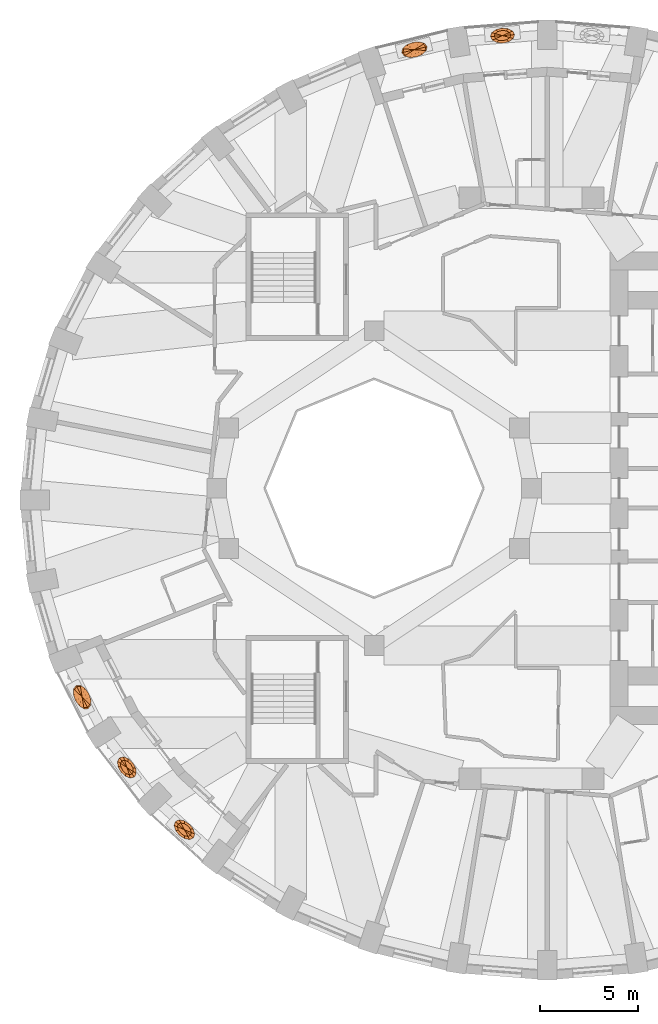
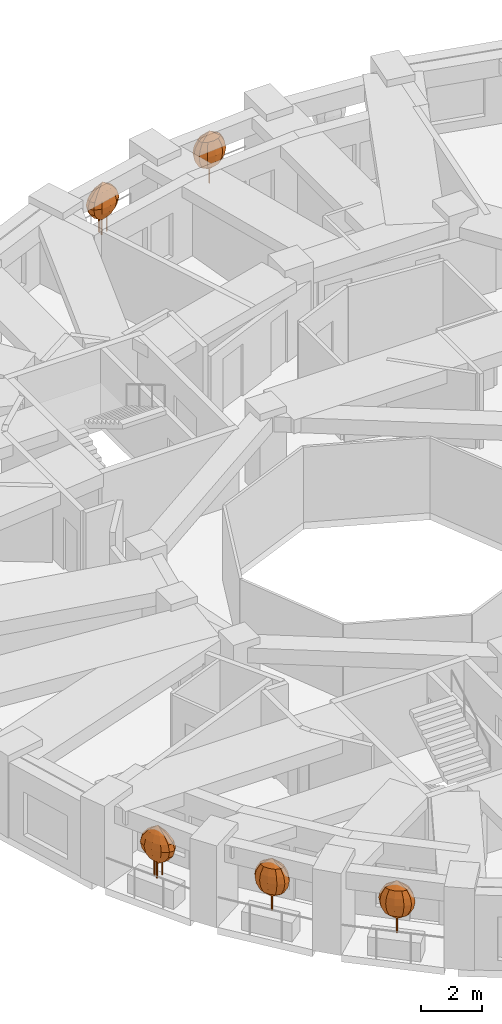
# One storey, part 11 of 12: 5 geographic elements.
"""IFC4 building model written with IfcOpenShell, lengths in metres."""

from ifc_helpers import new_model, si_unit, direction, frame, origin, place, context, subcontext, project, spatial, faceted_brep, material, constituent, constituent_set, type_object, element, save


model = new_model("IFC4")

# Units and contexts
model_context = context("Model", 3, precision=1e-05, world=origin(), true_north=direction((0.0, 1.0)))
body_context = subcontext(model_context, "Body", "Model", "MODEL_VIEW")
ifc_project = project(units=[si_unit("LENGTHUNIT", "METRE"), si_unit("AREAUNIT", "SQUARE_METRE"), si_unit("VOLUMEUNIT", "CUBIC_METRE"), si_unit("PLANEANGLEUNIT", "RADIAN"), si_unit("MASSUNIT", "GRAM", prefix="KILO")], contexts=[model_context])

# Site, building, storey
site_placement = place(None, origin())
site = spatial("IfcSite", under=ifc_project, at=site_placement, CompositionType="ELEMENT")
building_placement = place(site_placement, origin())
building = spatial("IfcBuilding", under=site, at=building_placement, Name="Taillehof Tower", CompositionType="ELEMENT")
storey_placement = place(building_placement, frame((0.0, 0.0, 128.5)))
storey = spatial("IfcBuildingStorey", under=building, at=storey_placement, Name="L36", CompositionType="ELEMENT", Elevation=128.5)

# Geographic elements
ifc_material_1 = material(Name="Tree bark", Category="timber")
ifc_constituent_1 = constituent(ifc_material_1, Name="Trunk", Category="timber")
ifc_material_2 = material(Name="Tree foliage")
ifc_constituent_2 = constituent(ifc_material_2, Name="Crown")
ifc_constituent_set_1 = constituent_set(constituents=[ifc_constituent_1, ifc_constituent_2], Name="Tree TR1 Columnar hornbeam")
geographic_element_type_1 = type_object("IfcGeographicElementType", Name="Tree TR1 Columnar hornbeam", PredefinedType="USERDEFINED", material=ifc_constituent_set_1)
geographic_element_1_placement = place(storey_placement, frame((-1.472900390625, 23.007568359375, 0.75)))
element("IfcGeographicElement", 1, at=geographic_element_1_placement, inside=storey, type_object=geographic_element_type_1, Name="Tree TR1 Columnar hornbeam", ObjectType="TREE", PredefinedType="USERDEFINED", context=body_context, shape_type="Brep", body=[
    faceted_brep([(0.030029296875, 0.0, 0.0), (0.021240234375, 0.021240234375, 0.0), (0.021240234375, 0.021240234375, 1.092529296875), (0.030029296875, 0.0, 1.092529296875), (0.0, 0.030029296875, 0.0), (0.0, 0.030029296875, 1.092529296875), (-0.021240234375, 0.021240234375, 0.0), (-0.021240234375, 0.021240234375, 1.092529296875), (-0.030029296875, 0.0, 0.0), (-0.030029296875, 0.0, 1.092529296875), (-0.021240234375, -0.021240234375, 0.0), (-0.021240234375, -0.021240234375, 1.092529296875), (0.0, -0.030029296875, 0.0), (0.0, -0.030029296875, 1.092529296875), (0.021240234375, -0.021240234375, 0.0), (0.021240234375, -0.021240234375, 1.092529296875)], [[[0, 1, 2, 3]], [[1, 4, 5, 2]], [[4, 6, 7, 5]], [[6, 8, 9, 7]], [[8, 10, 11, 9]], [[10, 12, 13, 11]], [[12, 14, 15, 13]], [[14, 0, 3, 15]], [[14, 12, 10, 8, 6, 4, 1, 0]], [[3, 2, 5, 7, 9, 11, 13, 15]]]),
    faceted_brep([(0.0, 0.0, 0.550048828125), (-0.353759765625, -0.158203125, 0.808349609375), (-0.42041015625, -0.033447265625, 0.808349609375), (-0.1923828125, -0.24072265625, 0.808349609375), (0.0205078125, -0.2587890625, 0.808349609375), (0.22802734375, -0.207275390625, 0.808349609375), (0.374267578125, -0.100341796875, 0.808349609375), (0.42041015625, 0.033447265625, 0.808349609375), (0.353759765625, 0.158203125, 0.808349609375), (0.1923828125, 0.24072265625, 0.808349609375), (-0.0205078125, 0.2587890625, 0.808349609375), (-0.22802734375, 0.207275390625, 0.808349609375), (-0.374267578125, 0.100341796875, 0.808349609375), (-0.478759765625, -0.214111328125, 1.066650390625), (-0.56884765625, -0.045166015625, 1.066650390625), (-0.26025390625, -0.32568359375, 1.066650390625), (0.02783203125, -0.35009765625, 1.066650390625), (0.308349609375, -0.280517578125, 1.066650390625), (0.50634765625, -0.135986328125, 1.066650390625), (0.56884765625, 0.045166015625, 1.066650390625), (0.478759765625, 0.214111328125, 1.066650390625), (0.26025390625, 0.32568359375, 1.066650390625), (-0.02783203125, 0.35009765625, 1.066650390625), (-0.308349609375, 0.280517578125, 1.066650390625), (-0.50634765625, 0.135986328125, 1.066650390625), (-0.51806640625, -0.231689453125, 1.324951171875), (-0.615478515625, -0.048828125, 1.324951171875), (-0.28173828125, -0.3525390625, 1.324951171875), (0.030029296875, -0.37890625, 1.324951171875), (0.333740234375, -0.3037109375, 1.324951171875), (0.548095703125, -0.14697265625, 1.324951171875), (0.615478515625, 0.048828125, 1.324951171875), (0.51806640625, 0.231689453125, 1.324951171875), (0.28173828125, 0.3525390625, 1.324951171875), (-0.030029296875, 0.37890625, 1.324951171875), (-0.333740234375, 0.3037109375, 1.324951171875), (-0.548095703125, 0.14697265625, 1.324951171875), (-0.478759765625, -0.214111328125, 1.583251953125), (-0.56884765625, -0.045166015625, 1.583251953125), (-0.26025390625, -0.32568359375, 1.583251953125), (0.02783203125, -0.35009765625, 1.583251953125), (0.308349609375, -0.280517578125, 1.583251953125), (0.50634765625, -0.135986328125, 1.583251953125), (0.56884765625, 0.045166015625, 1.583251953125), (0.478759765625, 0.214111328125, 1.583251953125), (0.26025390625, 0.32568359375, 1.583251953125), (-0.02783203125, 0.35009765625, 1.583251953125), (-0.308349609375, 0.280517578125, 1.583251953125), (-0.50634765625, 0.135986328125, 1.583251953125), (-0.353759765625, -0.158203125, 1.841552734375), (-0.42041015625, -0.033447265625, 1.841552734375), (-0.1923828125, -0.24072265625, 1.841552734375), (0.0205078125, -0.2587890625, 1.841552734375), (0.22802734375, -0.207275390625, 1.841552734375), (0.374267578125, -0.100341796875, 1.841552734375), (0.42041015625, 0.033447265625, 1.841552734375), (0.353759765625, 0.158203125, 1.841552734375), (0.1923828125, 0.24072265625, 1.841552734375), (-0.0205078125, 0.2587890625, 1.841552734375), (-0.22802734375, 0.207275390625, 1.841552734375), (-0.374267578125, 0.100341796875, 1.841552734375), (0.0, 0.0, 2.10009765625)], [[[0, 1, 2]], [[0, 3, 1]], [[0, 4, 3]], [[0, 5, 4]], [[0, 6, 5]], [[0, 7, 6]], [[0, 8, 7]], [[0, 9, 8]], [[0, 10, 9]], [[0, 11, 10]], [[0, 12, 11]], [[0, 2, 12]], [[2, 1, 13, 14]], [[1, 3, 15, 13]], [[3, 4, 16, 15]], [[4, 5, 17, 16]], [[5, 6, 18, 17]], [[6, 7, 19, 18]], [[7, 8, 20, 19]], [[8, 9, 21, 20]], [[9, 10, 22, 21]], [[10, 11, 23, 22]], [[11, 12, 24, 23]], [[12, 2, 14, 24]], [[14, 13, 25, 26]], [[13, 15, 27, 25]], [[15, 16, 28, 27]], [[16, 17, 29, 28]], [[17, 18, 30, 29]], [[18, 19, 31, 30]], [[19, 20, 32, 31]], [[20, 21, 33, 32]], [[21, 22, 34, 33]], [[22, 23, 35, 34]], [[23, 24, 36, 35]], [[24, 14, 26, 36]], [[26, 25, 37, 38]], [[25, 27, 39, 37]], [[27, 28, 40, 39]], [[28, 29, 41, 40]], [[29, 30, 42, 41]], [[30, 31, 43, 42]], [[31, 32, 44, 43]], [[32, 33, 45, 44]], [[33, 34, 46, 45]], [[34, 35, 47, 46]], [[35, 36, 48, 47]], [[36, 26, 38, 48]], [[38, 37, 49, 50]], [[37, 39, 51, 49]], [[39, 40, 52, 51]], [[40, 41, 53, 52]], [[41, 42, 54, 53]], [[42, 43, 55, 54]], [[43, 44, 56, 55]], [[44, 45, 57, 56]], [[45, 46, 58, 57]], [[46, 47, 59, 58]], [[47, 48, 60, 59]], [[48, 38, 50, 60]], [[50, 49, 61]], [[49, 51, 61]], [[51, 52, 61]], [[52, 53, 61]], [[53, 54, 61]], [[54, 55, 61]], [[55, 56, 61]], [[56, 57, 61]], [[57, 58, 61]], [[58, 59, 61]], [[59, 60, 61]], [[60, 50, 61]]]),
])
geographic_element_2_placement = place(storey_placement, frame((-20.56689453125, -14.196044921875, 0.75)))
element("IfcGeographicElement", 2, at=geographic_element_2_placement, inside=storey, type_object=geographic_element_type_1, Name="Tree TR1 Columnar hornbeam", ObjectType="TREE", PredefinedType="USERDEFINED", context=body_context, shape_type="Brep", body=[
    faceted_brep([(0.030029296875, 0.0, 0.0), (0.021240234375, 0.021240234375, 0.0), (0.021240234375, 0.021240234375, 1.092529296875), (0.030029296875, 0.0, 1.092529296875), (0.0, 0.030029296875, 0.0), (0.0, 0.030029296875, 1.092529296875), (-0.021240234375, 0.021240234375, 0.0), (-0.021240234375, 0.021240234375, 1.092529296875), (-0.030029296875, 0.0, 0.0), (-0.030029296875, 0.0, 1.092529296875), (-0.021240234375, -0.021240234375, 0.0), (-0.021240234375, -0.021240234375, 1.092529296875), (0.0, -0.030029296875, 0.0), (0.0, -0.030029296875, 1.092529296875), (0.021240234375, -0.021240234375, 0.0), (0.021240234375, -0.021240234375, 1.092529296875)], [[[0, 1, 2, 3]], [[1, 4, 5, 2]], [[4, 6, 7, 5]], [[6, 8, 9, 7]], [[8, 10, 11, 9]], [[10, 12, 13, 11]], [[12, 14, 15, 13]], [[14, 0, 3, 15]], [[14, 12, 10, 8, 6, 4, 1, 0]], [[3, 2, 5, 7, 9, 11, 13, 15]]]),
    faceted_brep([(0.0, 0.0, 0.550048828125), (0.325927734375, -0.2099609375, 0.808349609375), (0.257568359375, -0.333984375, 0.808349609375), (0.306884765625, -0.02978515625, 0.808349609375), (0.20556640625, 0.158447265625, 0.808349609375), (0.04931640625, 0.30419921875, 0.808349609375), (-0.120361328125, 0.368408203125, 0.808349609375), (-0.257568359375, 0.333984375, 0.808349609375), (-0.325927734375, 0.2099609375, 0.808349609375), (-0.306884765625, 0.02978515625, 0.808349609375), (-0.20556640625, -0.158447265625, 0.808349609375), (-0.04931640625, -0.30419921875, 0.808349609375), (0.120361328125, -0.368408203125, 0.808349609375), (0.440673828125, -0.2841796875, 1.066650390625), (0.348388671875, -0.451904296875, 1.066650390625), (0.4150390625, -0.040283203125, 1.066650390625), (0.278076171875, 0.21435546875, 1.066650390625), (0.066650390625, 0.41162109375, 1.066650390625), (-0.16259765625, 0.49853515625, 1.066650390625), (-0.348388671875, 0.451904296875, 1.066650390625), (-0.440673828125, 0.2841796875, 1.066650390625), (-0.4150390625, 0.040283203125, 1.066650390625), (-0.278076171875, -0.21435546875, 1.066650390625), (-0.066650390625, -0.41162109375, 1.066650390625), (0.16259765625, -0.49853515625, 1.066650390625), (0.47705078125, -0.307373046875, 1.324951171875), (0.377197265625, -0.489013671875, 1.324951171875), (0.44921875, -0.04345703125, 1.324951171875), (0.301025390625, 0.23193359375, 1.324951171875), (0.072021484375, 0.445556640625, 1.324951171875), (-0.176025390625, 0.53955078125, 1.324951171875), (-0.377197265625, 0.489013671875, 1.324951171875), (-0.47705078125, 0.307373046875, 1.324951171875), (-0.44921875, 0.04345703125, 1.324951171875), (-0.301025390625, -0.23193359375, 1.324951171875), (-0.072021484375, -0.445556640625, 1.324951171875), (0.176025390625, -0.53955078125, 1.324951171875), (0.440673828125, -0.2841796875, 1.583251953125), (0.348388671875, -0.451904296875, 1.583251953125), (0.4150390625, -0.040283203125, 1.583251953125), (0.278076171875, 0.21435546875, 1.583251953125), (0.066650390625, 0.41162109375, 1.583251953125), (-0.16259765625, 0.49853515625, 1.583251953125), (-0.348388671875, 0.451904296875, 1.583251953125), (-0.440673828125, 0.2841796875, 1.583251953125), (-0.4150390625, 0.040283203125, 1.583251953125), (-0.278076171875, -0.21435546875, 1.583251953125), (-0.066650390625, -0.41162109375, 1.583251953125), (0.16259765625, -0.49853515625, 1.583251953125), (0.325927734375, -0.2099609375, 1.841552734375), (0.257568359375, -0.333984375, 1.841552734375), (0.306884765625, -0.02978515625, 1.841552734375), (0.20556640625, 0.158447265625, 1.841552734375), (0.04931640625, 0.30419921875, 1.841552734375), (-0.120361328125, 0.368408203125, 1.841552734375), (-0.257568359375, 0.333984375, 1.841552734375), (-0.325927734375, 0.2099609375, 1.841552734375), (-0.306884765625, 0.02978515625, 1.841552734375), (-0.20556640625, -0.158447265625, 1.841552734375), (-0.04931640625, -0.30419921875, 1.841552734375), (0.120361328125, -0.368408203125, 1.841552734375), (0.0, 0.0, 2.10009765625)], [[[0, 1, 2]], [[0, 3, 1]], [[0, 4, 3]], [[0, 5, 4]], [[0, 6, 5]], [[0, 7, 6]], [[0, 8, 7]], [[0, 9, 8]], [[0, 10, 9]], [[0, 11, 10]], [[0, 12, 11]], [[0, 2, 12]], [[2, 1, 13, 14]], [[1, 3, 15, 13]], [[3, 4, 16, 15]], [[4, 5, 17, 16]], [[5, 6, 18, 17]], [[6, 7, 19, 18]], [[7, 8, 20, 19]], [[8, 9, 21, 20]], [[9, 10, 22, 21]], [[10, 11, 23, 22]], [[11, 12, 24, 23]], [[12, 2, 14, 24]], [[14, 13, 25, 26]], [[13, 15, 27, 25]], [[15, 16, 28, 27]], [[16, 17, 29, 28]], [[17, 18, 30, 29]], [[18, 19, 31, 30]], [[19, 20, 32, 31]], [[20, 21, 33, 32]], [[21, 22, 34, 33]], [[22, 23, 35, 34]], [[23, 24, 36, 35]], [[24, 14, 26, 36]], [[26, 25, 37, 38]], [[25, 27, 39, 37]], [[27, 28, 40, 39]], [[28, 29, 41, 40]], [[29, 30, 42, 41]], [[30, 31, 43, 42]], [[31, 32, 44, 43]], [[32, 33, 45, 44]], [[33, 34, 46, 45]], [[34, 35, 47, 46]], [[35, 36, 48, 47]], [[36, 26, 38, 48]], [[38, 37, 49, 50]], [[37, 39, 51, 49]], [[39, 40, 52, 51]], [[40, 41, 53, 52]], [[41, 42, 54, 53]], [[42, 43, 55, 54]], [[43, 44, 56, 55]], [[44, 45, 57, 56]], [[45, 46, 58, 57]], [[46, 47, 59, 58]], [[47, 48, 60, 59]], [[48, 38, 50, 60]], [[50, 49, 61]], [[49, 51, 61]], [[51, 52, 61]], [[52, 53, 61]], [[53, 54, 61]], [[54, 55, 61]], [[55, 56, 61]], [[56, 57, 61]], [[57, 58, 61]], [[58, 59, 61]], [[59, 60, 61]], [[60, 50, 61]]]),
])
geographic_element_3_placement = place(storey_placement, frame((-17.643310546875, -17.360107421875, 0.75)))
element("IfcGeographicElement", 3, at=geographic_element_3_placement, inside=storey, type_object=geographic_element_type_1, Name="Tree TR1 Columnar hornbeam", ObjectType="TREE", PredefinedType="USERDEFINED", context=body_context, shape_type="Brep", body=[
    faceted_brep([(0.030029296875, 0.0, 0.0), (0.021240234375, 0.021240234375, 0.0), (0.021240234375, 0.021240234375, 1.092529296875), (0.030029296875, 0.0, 1.092529296875), (0.0, 0.030029296875, 0.0), (0.0, 0.030029296875, 1.092529296875), (-0.021240234375, 0.021240234375, 0.0), (-0.021240234375, 0.021240234375, 1.092529296875), (-0.030029296875, 0.0, 0.0), (-0.030029296875, 0.0, 1.092529296875), (-0.021240234375, -0.021240234375, 0.0), (-0.021240234375, -0.021240234375, 1.092529296875), (0.0, -0.030029296875, 0.0), (0.0, -0.030029296875, 1.092529296875), (0.021240234375, -0.021240234375, 0.0), (0.021240234375, -0.021240234375, 1.092529296875)], [[[0, 1, 2, 3]], [[1, 4, 5, 2]], [[4, 6, 7, 5]], [[6, 8, 9, 7]], [[8, 10, 11, 9]], [[10, 12, 13, 11]], [[12, 14, 15, 13]], [[14, 0, 3, 15]], [[14, 12, 10, 8, 6, 4, 1, 0]], [[3, 2, 5, 7, 9, 11, 13, 15]]]),
    faceted_brep([(0.0, 0.0, 0.550048828125), (0.357666015625, -0.1494140625, 0.808349609375), (0.312255859375, -0.283447265625, 0.808349609375), (0.30712890625, 0.024658203125, 0.808349609375), (0.174560546875, 0.192138671875, 0.808349609375), (-0.005126953125, 0.30810546875, 0.808349609375), (-0.18310546875, 0.341552734375, 0.808349609375), (-0.312255859375, 0.283447265625, 0.808349609375), (-0.357666015625, 0.1494140625, 0.808349609375), (-0.30712890625, -0.024658203125, 0.808349609375), (-0.174560546875, -0.192138671875, 0.808349609375), (0.005126953125, -0.30810546875, 0.808349609375), (0.18310546875, -0.341552734375, 0.808349609375), (0.48388671875, -0.2021484375, 1.066650390625), (0.42236328125, -0.383544921875, 1.066650390625), (0.41552734375, 0.033447265625, 1.066650390625), (0.236083984375, 0.260009765625, 1.066650390625), (-0.0068359375, 0.4169921875, 1.066650390625), (-0.247802734375, 0.462158203125, 1.066650390625), (-0.42236328125, 0.383544921875, 1.066650390625), (-0.48388671875, 0.2021484375, 1.066650390625), (-0.41552734375, -0.033447265625, 1.066650390625), (-0.236083984375, -0.260009765625, 1.066650390625), (0.0068359375, -0.4169921875, 1.066650390625), (0.247802734375, -0.462158203125, 1.066650390625), (0.523681640625, -0.21875, 1.324951171875), (0.457275390625, -0.4150390625, 1.324951171875), (0.44970703125, 0.0361328125, 1.324951171875), (0.25537109375, 0.28125, 1.324951171875), (-0.00732421875, 0.451171875, 1.324951171875), (-0.268310546875, 0.500244140625, 1.324951171875), (-0.457275390625, 0.4150390625, 1.324951171875), (-0.523681640625, 0.21875, 1.324951171875), (-0.44970703125, -0.0361328125, 1.324951171875), (-0.25537109375, -0.28125, 1.324951171875), (0.00732421875, -0.451171875, 1.324951171875), (0.268310546875, -0.500244140625, 1.324951171875), (0.48388671875, -0.2021484375, 1.583251953125), (0.42236328125, -0.383544921875, 1.583251953125), (0.41552734375, 0.033447265625, 1.583251953125), (0.236083984375, 0.260009765625, 1.583251953125), (-0.0068359375, 0.4169921875, 1.583251953125), (-0.247802734375, 0.462158203125, 1.583251953125), (-0.42236328125, 0.383544921875, 1.583251953125), (-0.48388671875, 0.2021484375, 1.583251953125), (-0.41552734375, -0.033447265625, 1.583251953125), (-0.236083984375, -0.260009765625, 1.583251953125), (0.0068359375, -0.4169921875, 1.583251953125), (0.247802734375, -0.462158203125, 1.583251953125), (0.357666015625, -0.1494140625, 1.841552734375), (0.312255859375, -0.283447265625, 1.841552734375), (0.30712890625, 0.024658203125, 1.841552734375), (0.174560546875, 0.192138671875, 1.841552734375), (-0.005126953125, 0.30810546875, 1.841552734375), (-0.18310546875, 0.341552734375, 1.841552734375), (-0.312255859375, 0.283447265625, 1.841552734375), (-0.357666015625, 0.1494140625, 1.841552734375), (-0.30712890625, -0.024658203125, 1.841552734375), (-0.174560546875, -0.192138671875, 1.841552734375), (0.005126953125, -0.30810546875, 1.841552734375), (0.18310546875, -0.341552734375, 1.841552734375), (0.0, 0.0, 2.10009765625)], [[[0, 1, 2]], [[0, 3, 1]], [[0, 4, 3]], [[0, 5, 4]], [[0, 6, 5]], [[0, 7, 6]], [[0, 8, 7]], [[0, 9, 8]], [[0, 10, 9]], [[0, 11, 10]], [[0, 12, 11]], [[0, 2, 12]], [[2, 1, 13, 14]], [[1, 3, 15, 13]], [[3, 4, 16, 15]], [[4, 5, 17, 16]], [[5, 6, 18, 17]], [[6, 7, 19, 18]], [[7, 8, 20, 19]], [[8, 9, 21, 20]], [[9, 10, 22, 21]], [[10, 11, 23, 22]], [[11, 12, 24, 23]], [[12, 2, 14, 24]], [[14, 13, 25, 26]], [[13, 15, 27, 25]], [[15, 16, 28, 27]], [[16, 17, 29, 28]], [[17, 18, 30, 29]], [[18, 19, 31, 30]], [[19, 20, 32, 31]], [[20, 21, 33, 32]], [[21, 22, 34, 33]], [[22, 23, 35, 34]], [[23, 24, 36, 35]], [[24, 14, 26, 36]], [[26, 25, 37, 38]], [[25, 27, 39, 37]], [[27, 28, 40, 39]], [[28, 29, 41, 40]], [[29, 30, 42, 41]], [[30, 31, 43, 42]], [[31, 32, 44, 43]], [[32, 33, 45, 44]], [[33, 34, 46, 45]], [[34, 35, 47, 46]], [[35, 36, 48, 47]], [[36, 26, 38, 48]], [[38, 37, 49, 50]], [[37, 39, 51, 49]], [[39, 40, 52, 51]], [[40, 41, 53, 52]], [[41, 42, 54, 53]], [[42, 43, 55, 54]], [[43, 44, 56, 55]], [[44, 45, 57, 56]], [[45, 46, 58, 57]], [[46, 47, 59, 58]], [[47, 48, 60, 59]], [[48, 38, 50, 60]], [[50, 49, 61]], [[49, 51, 61]], [[51, 52, 61]], [[52, 53, 61]], [[53, 54, 61]], [[54, 55, 61]], [[55, 56, 61]], [[56, 57, 61]], [[57, 58, 61]], [[58, 59, 61]], [[59, 60, 61]], [[60, 50, 61]]]),
])
ifc_material_3 = material(Name="Tree bark", Category="timber")
ifc_constituent_3 = constituent(ifc_material_3, Name="Trunk", Category="timber")
ifc_material_4 = material(Name="Tree foliage")
ifc_constituent_4 = constituent(ifc_material_4, Name="Crown")
ifc_constituent_set_2 = constituent_set(constituents=[ifc_constituent_3, ifc_constituent_4], Name="Tree TR3 Multi-stem serviceberry")
geographic_element_type_2 = type_object("IfcGeographicElementType", Name="Tree TR3 Multi-stem serviceberry", PredefinedType="USERDEFINED", material=ifc_constituent_set_2)
geographic_element_4_placement = place(storey_placement, frame((-5.94970703125, 22.290771484375, 0.75)))
element("IfcGeographicElement", 4, at=geographic_element_4_placement, inside=storey, type_object=geographic_element_type_2, Name="Tree TR3 Multi-stem serviceberry", ObjectType="TREE", PredefinedType="USERDEFINED", context=body_context, shape_type="Brep", body=[
    faceted_brep([(0.195068359375, 0.0, 0.0), (0.186767578125, 0.0205078125, 0.0), (0.186767578125, 0.0205078125, 1.04248046875), (0.195068359375, 0.0, 1.04248046875), (0.166259765625, 0.02880859375, 0.0), (0.166259765625, 0.02880859375, 1.04248046875), (0.145751953125, 0.0205078125, 0.0), (0.145751953125, 0.0205078125, 1.04248046875), (0.137451171875, 0.0, 0.0), (0.137451171875, 0.0, 1.04248046875), (0.145751953125, -0.0205078125, 0.0), (0.145751953125, -0.0205078125, 1.04248046875), (0.166259765625, -0.02880859375, 0.0), (0.166259765625, -0.02880859375, 1.04248046875), (0.186767578125, -0.0205078125, 0.0), (0.186767578125, -0.0205078125, 1.04248046875)], [[[0, 1, 2, 3]], [[1, 4, 5, 2]], [[4, 6, 7, 5]], [[6, 8, 9, 7]], [[8, 10, 11, 9]], [[10, 12, 13, 11]], [[12, 14, 15, 13]], [[14, 0, 3, 15]], [[14, 12, 10, 8, 6, 4, 1, 0]], [[3, 2, 5, 7, 9, 11, 13, 15]]]),
    faceted_brep([(-0.05419921875, 0.082275390625, 0.0), (-0.062744140625, 0.102783203125, 0.0), (-0.062744140625, 0.102783203125, 1.04248046875), (-0.05419921875, 0.082275390625, 1.04248046875), (-0.0830078125, 0.111083984375, 0.0), (-0.0830078125, 0.111083984375, 1.04248046875), (-0.103515625, 0.102783203125, 0.0), (-0.103515625, 0.102783203125, 1.04248046875), (-0.112060546875, 0.082275390625, 0.0), (-0.112060546875, 0.082275390625, 1.04248046875), (-0.103515625, 0.061767578125, 0.0), (-0.103515625, 0.061767578125, 1.04248046875), (-0.0830078125, 0.053466796875, 0.0), (-0.0830078125, 0.053466796875, 1.04248046875), (-0.062744140625, 0.061767578125, 0.0), (-0.062744140625, 0.061767578125, 1.04248046875)], [[[0, 1, 2, 3]], [[1, 4, 5, 2]], [[4, 6, 7, 5]], [[6, 8, 9, 7]], [[8, 10, 11, 9]], [[10, 12, 13, 11]], [[12, 14, 15, 13]], [[14, 0, 3, 15]], [[14, 12, 10, 8, 6, 4, 1, 0]], [[3, 2, 5, 7, 9, 11, 13, 15]]]),
    faceted_brep([(-0.05419921875, -0.082275390625, 0.0), (-0.062744140625, -0.061767578125, 0.0), (-0.062744140625, -0.061767578125, 1.04248046875), (-0.05419921875, -0.082275390625, 1.04248046875), (-0.0830078125, -0.053466796875, 0.0), (-0.0830078125, -0.053466796875, 1.04248046875), (-0.103515625, -0.061767578125, 0.0), (-0.103515625, -0.061767578125, 1.04248046875), (-0.112060546875, -0.082275390625, 0.0), (-0.112060546875, -0.082275390625, 1.04248046875), (-0.103515625, -0.102783203125, 0.0), (-0.103515625, -0.102783203125, 1.04248046875), (-0.0830078125, -0.111083984375, 0.0), (-0.0830078125, -0.111083984375, 1.04248046875), (-0.062744140625, -0.102783203125, 0.0), (-0.062744140625, -0.102783203125, 1.04248046875)], [[[0, 1, 2, 3]], [[1, 4, 5, 2]], [[4, 6, 7, 5]], [[6, 8, 9, 7]], [[8, 10, 11, 9]], [[10, 12, 13, 11]], [[12, 14, 15, 13]], [[14, 0, 3, 15]], [[14, 12, 10, 8, 6, 4, 1, 0]], [[3, 2, 5, 7, 9, 11, 13, 15]]]),
    faceted_brep([(0.0, 0.0, 0.5), (-0.295654296875, -0.184326171875, 0.75830078125), (-0.37109375, -0.09033203125, 0.75830078125), (-0.140869140625, -0.228759765625, 0.75830078125), (0.051513671875, -0.212158203125, 0.75830078125), (0.230224609375, -0.138427734375, 0.75830078125), (0.34716796875, -0.02783203125, 0.75830078125), (0.37109375, 0.09033203125, 0.75830078125), (0.295654296875, 0.184326171875, 0.75830078125), (0.140869140625, 0.228759765625, 0.75830078125), (-0.051513671875, 0.212158203125, 0.75830078125), (-0.230224609375, 0.138427734375, 0.75830078125), (-0.34716796875, 0.02783203125, 0.75830078125), (-0.458740234375, -0.285888671875, 1.0166015625), (-0.575927734375, -0.14013671875, 1.0166015625), (-0.218505859375, -0.35498046875, 1.0166015625), (0.080078125, -0.3291015625, 1.0166015625), (0.357177734375, -0.21484375, 1.0166015625), (0.538818359375, -0.043212890625, 1.0166015625), (0.575927734375, 0.14013671875, 1.0166015625), (0.458740234375, 0.285888671875, 1.0166015625), (0.218505859375, 0.35498046875, 1.0166015625), (-0.080078125, 0.3291015625, 1.0166015625), (-0.357177734375, 0.21484375, 1.0166015625), (-0.538818359375, 0.043212890625, 1.0166015625), (-0.5146484375, -0.32080078125, 1.27490234375), (-0.646240234375, -0.1572265625, 1.27490234375), (-0.245361328125, -0.3984375, 1.27490234375), (0.08984375, -0.369140625, 1.27490234375), (0.40087890625, -0.2412109375, 1.27490234375), (0.6044921875, -0.048583984375, 1.27490234375), (0.646240234375, 0.1572265625, 1.27490234375), (0.5146484375, 0.32080078125, 1.27490234375), (0.245361328125, 0.3984375, 1.27490234375), (-0.08984375, 0.369140625, 1.27490234375), (-0.40087890625, 0.2412109375, 1.27490234375), (-0.6044921875, 0.048583984375, 1.27490234375), (-0.458740234375, -0.285888671875, 1.533447265625), (-0.575927734375, -0.14013671875, 1.533447265625), (-0.218505859375, -0.35498046875, 1.533447265625), (0.080078125, -0.3291015625, 1.533447265625), (0.357177734375, -0.21484375, 1.533447265625), (0.538818359375, -0.043212890625, 1.533447265625), (0.575927734375, 0.14013671875, 1.533447265625), (0.458740234375, 0.285888671875, 1.533447265625), (0.218505859375, 0.35498046875, 1.533447265625), (-0.080078125, 0.3291015625, 1.533447265625), (-0.357177734375, 0.21484375, 1.533447265625), (-0.538818359375, 0.043212890625, 1.533447265625), (-0.295654296875, -0.184326171875, 1.791748046875), (-0.37109375, -0.09033203125, 1.791748046875), (-0.140869140625, -0.228759765625, 1.791748046875), (0.051513671875, -0.212158203125, 1.791748046875), (0.230224609375, -0.138427734375, 1.791748046875), (0.34716796875, -0.02783203125, 1.791748046875), (0.37109375, 0.09033203125, 1.791748046875), (0.295654296875, 0.184326171875, 1.791748046875), (0.140869140625, 0.228759765625, 1.791748046875), (-0.051513671875, 0.212158203125, 1.791748046875), (-0.230224609375, 0.138427734375, 1.791748046875), (-0.34716796875, 0.02783203125, 1.791748046875), (0.0, 0.0, 2.050048828125)], [[[0, 1, 2]], [[0, 3, 1]], [[0, 4, 3]], [[0, 5, 4]], [[0, 6, 5]], [[0, 7, 6]], [[0, 8, 7]], [[0, 9, 8]], [[0, 10, 9]], [[0, 11, 10]], [[0, 12, 11]], [[0, 2, 12]], [[2, 1, 13, 14]], [[1, 3, 15, 13]], [[3, 4, 16, 15]], [[4, 5, 17, 16]], [[5, 6, 18, 17]], [[6, 7, 19, 18]], [[7, 8, 20, 19]], [[8, 9, 21, 20]], [[9, 10, 22, 21]], [[10, 11, 23, 22]], [[11, 12, 24, 23]], [[12, 2, 14, 24]], [[14, 13, 25, 26]], [[13, 15, 27, 25]], [[15, 16, 28, 27]], [[16, 17, 29, 28]], [[17, 18, 30, 29]], [[18, 19, 31, 30]], [[19, 20, 32, 31]], [[20, 21, 33, 32]], [[21, 22, 34, 33]], [[22, 23, 35, 34]], [[23, 24, 36, 35]], [[24, 14, 26, 36]], [[26, 25, 37, 38]], [[25, 27, 39, 37]], [[27, 28, 40, 39]], [[28, 29, 41, 40]], [[29, 30, 42, 41]], [[30, 31, 43, 42]], [[31, 32, 44, 43]], [[32, 33, 45, 44]], [[33, 34, 46, 45]], [[34, 35, 47, 46]], [[35, 36, 48, 47]], [[36, 26, 38, 48]], [[38, 37, 49, 50]], [[37, 39, 51, 49]], [[39, 40, 52, 51]], [[40, 41, 53, 52]], [[41, 42, 54, 53]], [[42, 43, 55, 54]], [[43, 44, 56, 55]], [[44, 45, 57, 56]], [[45, 46, 58, 57]], [[46, 47, 59, 58]], [[47, 48, 60, 59]], [[48, 38, 50, 60]], [[50, 49, 61]], [[49, 51, 61]], [[51, 52, 61]], [[52, 53, 61]], [[53, 54, 61]], [[54, 55, 61]], [[55, 56, 61]], [[56, 57, 61]], [[57, 58, 61]], [[58, 59, 61]], [[59, 60, 61]], [[60, 50, 61]]]),
])
geographic_element_5_placement = place(storey_placement, frame((-22.841796875, -10.618408203125, 0.75)))
element("IfcGeographicElement", 5, at=geographic_element_5_placement, inside=storey, type_object=geographic_element_type_2, Name="Tree TR3 Multi-stem serviceberry", ObjectType="TREE", PredefinedType="USERDEFINED", context=body_context, shape_type="Brep", body=[
    faceted_brep([(0.195068359375, 0.0, 0.0), (0.186767578125, 0.0205078125, 0.0), (0.186767578125, 0.0205078125, 1.04248046875), (0.195068359375, 0.0, 1.04248046875), (0.166259765625, 0.02880859375, 0.0), (0.166259765625, 0.02880859375, 1.04248046875), (0.145751953125, 0.0205078125, 0.0), (0.145751953125, 0.0205078125, 1.04248046875), (0.137451171875, 0.0, 0.0), (0.137451171875, 0.0, 1.04248046875), (0.145751953125, -0.0205078125, 0.0), (0.145751953125, -0.0205078125, 1.04248046875), (0.166259765625, -0.02880859375, 0.0), (0.166259765625, -0.02880859375, 1.04248046875), (0.186767578125, -0.0205078125, 0.0), (0.186767578125, -0.0205078125, 1.04248046875)], [[[0, 1, 2, 3]], [[1, 4, 5, 2]], [[4, 6, 7, 5]], [[6, 8, 9, 7]], [[8, 10, 11, 9]], [[10, 12, 13, 11]], [[12, 14, 15, 13]], [[14, 0, 3, 15]], [[14, 12, 10, 8, 6, 4, 1, 0]], [[3, 2, 5, 7, 9, 11, 13, 15]]]),
    faceted_brep([(-0.05419921875, 0.082275390625, 0.0), (-0.062744140625, 0.102783203125, 0.0), (-0.062744140625, 0.102783203125, 1.04248046875), (-0.05419921875, 0.082275390625, 1.04248046875), (-0.0830078125, 0.111083984375, 0.0), (-0.0830078125, 0.111083984375, 1.04248046875), (-0.103515625, 0.102783203125, 0.0), (-0.103515625, 0.102783203125, 1.04248046875), (-0.112060546875, 0.082275390625, 0.0), (-0.112060546875, 0.082275390625, 1.04248046875), (-0.103515625, 0.061767578125, 0.0), (-0.103515625, 0.061767578125, 1.04248046875), (-0.0830078125, 0.053466796875, 0.0), (-0.0830078125, 0.053466796875, 1.04248046875), (-0.062744140625, 0.061767578125, 0.0), (-0.062744140625, 0.061767578125, 1.04248046875)], [[[0, 1, 2, 3]], [[1, 4, 5, 2]], [[4, 6, 7, 5]], [[6, 8, 9, 7]], [[8, 10, 11, 9]], [[10, 12, 13, 11]], [[12, 14, 15, 13]], [[14, 0, 3, 15]], [[14, 12, 10, 8, 6, 4, 1, 0]], [[3, 2, 5, 7, 9, 11, 13, 15]]]),
    faceted_brep([(-0.05419921875, -0.082275390625, 0.0), (-0.062744140625, -0.061767578125, 0.0), (-0.062744140625, -0.061767578125, 1.04248046875), (-0.05419921875, -0.082275390625, 1.04248046875), (-0.0830078125, -0.053466796875, 0.0), (-0.0830078125, -0.053466796875, 1.04248046875), (-0.103515625, -0.061767578125, 0.0), (-0.103515625, -0.061767578125, 1.04248046875), (-0.112060546875, -0.082275390625, 0.0), (-0.112060546875, -0.082275390625, 1.04248046875), (-0.103515625, -0.102783203125, 0.0), (-0.103515625, -0.102783203125, 1.04248046875), (-0.0830078125, -0.111083984375, 0.0), (-0.0830078125, -0.111083984375, 1.04248046875), (-0.062744140625, -0.102783203125, 0.0), (-0.062744140625, -0.102783203125, 1.04248046875)], [[[0, 1, 2, 3]], [[1, 4, 5, 2]], [[4, 6, 7, 5]], [[6, 8, 9, 7]], [[8, 10, 11, 9]], [[10, 12, 13, 11]], [[12, 14, 15, 13]], [[14, 0, 3, 15]], [[14, 12, 10, 8, 6, 4, 1, 0]], [[3, 2, 5, 7, 9, 11, 13, 15]]]),
    faceted_brep([(0.0, 0.0, 0.5), (0.248291015625, -0.244384765625, 0.75830078125), (0.174560546875, -0.33984375, 0.75830078125), (0.25537109375, -0.08349609375, 0.75830078125), (0.194091796875, 0.099609375, 0.75830078125), (0.080810546875, 0.25634765625, 0.75830078125), (-0.053955078125, 0.343994140625, 0.75830078125), (-0.174560546875, 0.33984375, 0.75830078125), (-0.248291015625, 0.244384765625, 0.75830078125), (-0.25537109375, 0.08349609375, 0.75830078125), (-0.194091796875, -0.099609375, 0.75830078125), (-0.080810546875, -0.25634765625, 0.75830078125), (0.053955078125, -0.343994140625, 0.75830078125), (0.38525390625, -0.379150390625, 1.0166015625), (0.270751953125, -0.52734375, 1.0166015625), (0.396240234375, -0.129638671875, 1.0166015625), (0.30126953125, 0.15478515625, 1.0166015625), (0.12548828125, 0.397705078125, 1.0166015625), (-0.083740234375, 0.533935546875, 1.0166015625), (-0.270751953125, 0.52734375, 1.0166015625), (-0.38525390625, 0.379150390625, 1.0166015625), (-0.396240234375, 0.129638671875, 1.0166015625), (-0.30126953125, -0.15478515625, 1.0166015625), (-0.12548828125, -0.397705078125, 1.0166015625), (0.083740234375, -0.533935546875, 1.0166015625), (0.43212890625, -0.425537109375, 1.27490234375), (0.3037109375, -0.591552734375, 1.27490234375), (0.444580078125, -0.1455078125, 1.27490234375), (0.338134765625, 0.173583984375, 1.27490234375), (0.140869140625, 0.446044921875, 1.27490234375), (-0.093994140625, 0.59912109375, 1.27490234375), (-0.3037109375, 0.591552734375, 1.27490234375), (-0.43212890625, 0.425537109375, 1.27490234375), (-0.444580078125, 0.1455078125, 1.27490234375), (-0.338134765625, -0.173583984375, 1.27490234375), (-0.140869140625, -0.446044921875, 1.27490234375), (0.093994140625, -0.59912109375, 1.27490234375), (0.38525390625, -0.379150390625, 1.533447265625), (0.270751953125, -0.52734375, 1.533447265625), (0.396240234375, -0.129638671875, 1.533447265625), (0.30126953125, 0.15478515625, 1.533447265625), (0.12548828125, 0.397705078125, 1.533447265625), (-0.083740234375, 0.533935546875, 1.533447265625), (-0.270751953125, 0.52734375, 1.533447265625), (-0.38525390625, 0.379150390625, 1.533447265625), (-0.396240234375, 0.129638671875, 1.533447265625), (-0.30126953125, -0.15478515625, 1.533447265625), (-0.12548828125, -0.397705078125, 1.533447265625), (0.083740234375, -0.533935546875, 1.533447265625), (0.248291015625, -0.244384765625, 1.791748046875), (0.174560546875, -0.33984375, 1.791748046875), (0.25537109375, -0.08349609375, 1.791748046875), (0.194091796875, 0.099609375, 1.791748046875), (0.080810546875, 0.25634765625, 1.791748046875), (-0.053955078125, 0.343994140625, 1.791748046875), (-0.174560546875, 0.33984375, 1.791748046875), (-0.248291015625, 0.244384765625, 1.791748046875), (-0.25537109375, 0.08349609375, 1.791748046875), (-0.194091796875, -0.099609375, 1.791748046875), (-0.080810546875, -0.25634765625, 1.791748046875), (0.053955078125, -0.343994140625, 1.791748046875), (0.0, 0.0, 2.050048828125)], [[[0, 1, 2]], [[0, 3, 1]], [[0, 4, 3]], [[0, 5, 4]], [[0, 6, 5]], [[0, 7, 6]], [[0, 8, 7]], [[0, 9, 8]], [[0, 10, 9]], [[0, 11, 10]], [[0, 12, 11]], [[0, 2, 12]], [[2, 1, 13, 14]], [[1, 3, 15, 13]], [[3, 4, 16, 15]], [[4, 5, 17, 16]], [[5, 6, 18, 17]], [[6, 7, 19, 18]], [[7, 8, 20, 19]], [[8, 9, 21, 20]], [[9, 10, 22, 21]], [[10, 11, 23, 22]], [[11, 12, 24, 23]], [[12, 2, 14, 24]], [[14, 13, 25, 26]], [[13, 15, 27, 25]], [[15, 16, 28, 27]], [[16, 17, 29, 28]], [[17, 18, 30, 29]], [[18, 19, 31, 30]], [[19, 20, 32, 31]], [[20, 21, 33, 32]], [[21, 22, 34, 33]], [[22, 23, 35, 34]], [[23, 24, 36, 35]], [[24, 14, 26, 36]], [[26, 25, 37, 38]], [[25, 27, 39, 37]], [[27, 28, 40, 39]], [[28, 29, 41, 40]], [[29, 30, 42, 41]], [[30, 31, 43, 42]], [[31, 32, 44, 43]], [[32, 33, 45, 44]], [[33, 34, 46, 45]], [[34, 35, 47, 46]], [[35, 36, 48, 47]], [[36, 26, 38, 48]], [[38, 37, 49, 50]], [[37, 39, 51, 49]], [[39, 40, 52, 51]], [[40, 41, 53, 52]], [[41, 42, 54, 53]], [[42, 43, 55, 54]], [[43, 44, 56, 55]], [[44, 45, 57, 56]], [[45, 46, 58, 57]], [[46, 47, 59, 58]], [[47, 48, 60, 59]], [[48, 38, 50, 60]], [[50, 49, 61]], [[49, 51, 61]], [[51, 52, 61]], [[52, 53, 61]], [[53, 54, 61]], [[54, 55, 61]], [[55, 56, 61]], [[56, 57, 61]], [[57, 58, 61]], [[58, 59, 61]], [[59, 60, 61]], [[60, 50, 61]]]),
])

save(model, "model.ifc")
